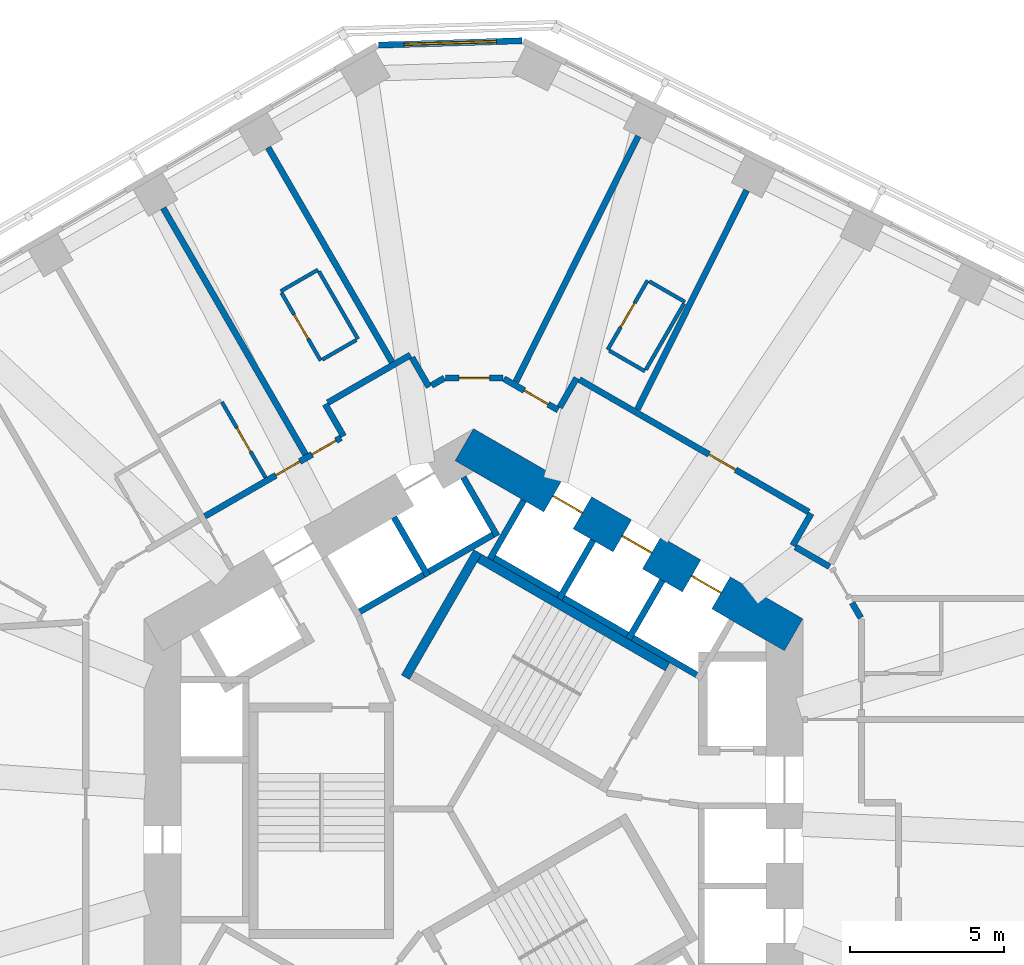
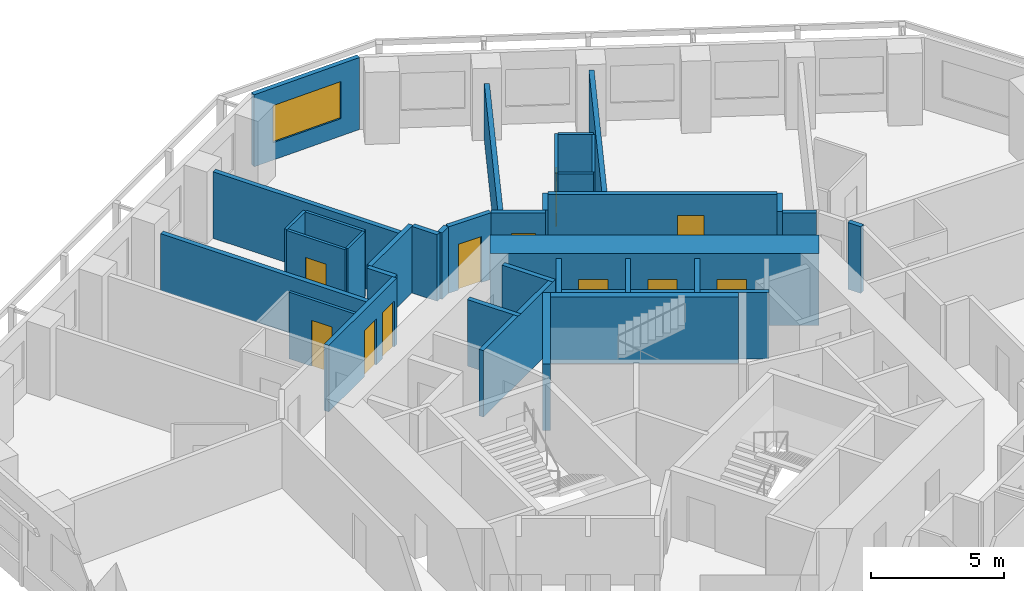
# One storey, part 8 of 12: 36 walls, 11 doors, 1 window, 12 openings.
"""IFC4 building model written with IfcOpenShell, lengths in metres."""

import ifcopenshell
import ifcopenshell.guid

model = None  # the IFC model being written
_history = None  # IfcOwnerHistory: only IFC2X3 demands one
_inside = {}  # id of a spatial element -> (the spatial element, [elements in it])
_under = {}  # id of a project, library or spatial element -> (it, [spatial elements below it])
_declared = {}  # id of a project -> (the project, [libraries it declares])
_typed = {}  # id of a type object -> (the type object, [elements of that type])
_made_of = {}  # id of a material, layer set ... -> (it, [elements and type objects made of it])


def new_model(schema):
    """Start an empty IFC model of exactly this schema.

    Asked for "IFC4X3", IfcOpenShell would pick the latest addendum, in which some entities
    have other attributes; the version numbers below select the first issue.
    IFC2X3 requires an IfcOwnerHistory on every rooted entity: one is made here for all.
    """
    global model, _history
    if schema == "IFC4X3":
        model = ifcopenshell.file(schema_version=(4, 3, 0, 0))
    else:
        model = ifcopenshell.file(schema=schema)
    _inside.clear()
    _under.clear()
    _declared.clear()
    _typed.clear()
    _made_of.clear()
    _history = None
    if model.schema == "IFC2X3":
        org = make("IfcOrganization", Name="unknown")
        user = make(
            "IfcPersonAndOrganization",
            ThePerson=make("IfcPerson", FamilyName="unknown"),
            TheOrganization=org,
        )
        app = make(
            "IfcApplication",
            ApplicationDeveloper=org,
            Version="unknown",
            ApplicationFullName="unknown",
            ApplicationIdentifier="unknown",
        )
        _history = make(
            "IfcOwnerHistory",
            OwningUser=user,
            OwningApplication=app,
            ChangeAction="ADDED",
            CreationDate=0,
        )
    return model


def make(cls, **values):
    """One entity of the class cls with the attributes given. An attribute that is None is left unset."""
    return model.create_entity(
        cls, **{name: value for name, value in values.items() if value is not None}
    )


def rooted(cls, **values):
    """An entity with a GlobalId (a new one), such as an element, a storey or a relation."""
    return make(cls, GlobalId=ifcopenshell.guid.new(), OwnerHistory=_history, **values)


def si_unit(unit_type, name, prefix=None):
    """IfcSIUnit, for example si_unit("LENGTHUNIT", "METRE", prefix="MILLI")."""
    return make("IfcSIUnit", UnitType=unit_type, Prefix=prefix, Name=name)


def assignment(units):
    """IfcUnitAssignment: the units of a project."""
    return None if units is None else make("IfcUnitAssignment", Units=units)


def point(xyz):
    """IfcCartesianPoint."""
    return None if xyz is None else make("IfcCartesianPoint", Coordinates=xyz)


def direction(xyz):
    """IfcDirection."""
    return None if xyz is None else make("IfcDirection", DirectionRatios=xyz)


def frame(location, z_axis=None, x_axis=None):
    """IfcAxis2Placement3D, a coordinate frame: its origin and axes. An axis left out is left unset."""
    return make(
        "IfcAxis2Placement3D",
        Location=point(location),
        Axis=direction(z_axis),
        RefDirection=direction(x_axis),
    )


def frame_2d(location, x_axis=None):
    """IfcAxis2Placement2D, a coordinate frame in the plane: its origin and x axis."""
    return make(
        "IfcAxis2Placement2D", Location=point(location), RefDirection=direction(x_axis)
    )


def origin():
    """The frame at (0, 0, 0) with its axes left unset."""
    return frame((0.0, 0.0, 0.0))


def place(relative_to, where):
    """IfcLocalPlacement: puts the frame where relative to a parent placement (None: the world)."""
    return make(
        "IfcLocalPlacement", PlacementRelTo=relative_to, RelativePlacement=where
    )


def context(
    kind, dimensions, precision=None, world=None, true_north=None, identifier=None
):
    """IfcGeometricRepresentationContext, for example the 3D "Model" context."""
    return make(
        "IfcGeometricRepresentationContext",
        ContextIdentifier=identifier,
        ContextType=kind,
        CoordinateSpaceDimension=dimensions,
        Precision=precision,
        WorldCoordinateSystem=world,
        TrueNorth=true_north,
    )


def subcontext(parent, identifier, kind, view, scale=None):
    """IfcGeometricRepresentationSubContext, for example "Body" below "Model"."""
    return make(
        "IfcGeometricRepresentationSubContext",
        ContextIdentifier=identifier,
        ContextType=kind,
        ParentContext=parent,
        TargetScale=scale,
        TargetView=view,
    )


def project(units=None, contexts=None):
    """IfcProject with its units and contexts."""
    return rooted(
        "IfcProject",
        Name="project",
        RepresentationContexts=contexts,
        UnitsInContext=assignment(units),
    )


def spatial(cls, under=None, at=None, **own):
    """A site, building, storey or space (cls), placed at a placement, below another one or the project."""
    s = rooted(cls, ObjectPlacement=at, **own)
    if under is not None:
        _under.setdefault(under.id(), (under, []))[1].append(s)
    return s


def profile(cls, at=None, kind="AREA", **sizes):
    """A parametric profile (cls). Its sizes go by their IFC names, for example OverallWidth=200.0."""
    return make(cls, ProfileType=kind, Position=at, **sizes)


def rectangle(**sizes):
    """IfcRectangleProfileDef."""
    return profile("IfcRectangleProfileDef", **sizes)


def extrude(swept, where, along, depth):
    """IfcExtrudedAreaSolid: the profile swept, set in the frame where, extruded along a direction by depth."""
    return make(
        "IfcExtrudedAreaSolid",
        SweptArea=swept,
        Position=where,
        ExtrudedDirection=direction(along),
        Depth=depth,
    )


def shape(context_of_items, identifier, shape_type, items):
    """IfcShapeRepresentation: the items that make up one representation, for example the "Body"."""
    return make(
        "IfcShapeRepresentation",
        ContextOfItems=context_of_items,
        RepresentationIdentifier=identifier,
        RepresentationType=shape_type,
        Items=items,
    )


def material(Name=None, Category=None):
    """IfcMaterial."""
    return make("IfcMaterial", Name=Name, Category=Category)


def layer(
    of_material, thickness, ventilated=None, Name=None, Category=None, Priority=None
):
    """IfcMaterialLayer: one layer of a wall or slab, of a material (None: an air gap)."""
    return make(
        "IfcMaterialLayer",
        Material=of_material,
        LayerThickness=thickness,
        IsVentilated=ventilated,
        Name=Name,
        Category=Category,
        Priority=Priority,
    )


def layer_set(layers, Name=None):
    """IfcMaterialLayerSet."""
    return make("IfcMaterialLayerSet", MaterialLayers=layers, LayerSetName=Name)


def made_of(thing, what):
    """Note that an element or type object is made of a material, layer set ...; save() writes the relation."""
    if what is not None:
        _made_of.setdefault(what.id(), (what, []))[1].append(thing)
    return thing


def type_object(cls, material=None, **own):
    """A type object (cls), such as IfcWallType, which elements share."""
    return made_of(rooted(cls, **own), material)


def element(
    cls,
    number,
    at=None,
    inside=None,
    cuts=None,
    type_object=None,
    material=None,
    context=None,
    identifier="Body",
    shape_type=None,
    held_by="IfcProductDefinitionShape",
    body=None,
    shapes=None,
    **own,
):
    """One element of the class cls, such as IfcWall. Its Tag is "e" and its number.

    at: its placement. inside: the storey or other place that contains it. cuts: it is an
    opening in that element (IfcRelVoidsElement). A single representation is given by context,
    identifier, shape_type and body (its items); several are given by shapes. held_by: the class
    of the entity that holds the representations. save() writes the other relations.
    """
    e = rooted(cls, Tag="e%d" % number, ObjectPlacement=at, **own)
    if body is not None:
        shapes = [shape(context, identifier, shape_type, body)]
    if shapes is not None:
        e.Representation = make(held_by, Representations=shapes)
    if inside is not None:
        _inside.setdefault(inside.id(), (inside, []))[1].append(e)
    if cuts is not None:
        rooted(
            "IfcRelVoidsElement", RelatingBuildingElement=cuts, RelatedOpeningElement=e
        )
    if type_object is not None:
        _typed.setdefault(type_object.id(), (type_object, []))[1].append(e)
    return made_of(e, material)


def fill(opening, filler):
    """IfcRelFillsElement: the door or window that sits in an opening."""
    return rooted(
        "IfcRelFillsElement",
        RelatingOpeningElement=opening,
        RelatedBuildingElement=filler,
    )


def aggregate(whole, parts):
    """IfcRelAggregates: a whole, such as a stair, and the parts it consists of."""
    return rooted("IfcRelAggregates", RelatingObject=whole, RelatedObjects=parts)


def save(model, path):
    """Write the relations noted so far, then the file.

    IfcRelAggregates (storeys below a building ...), IfcRelContainedInSpatialStructure (elements
    in a storey), IfcRelDefinesByType, IfcRelAssociatesMaterial and IfcRelDeclares: one each for
    every whole, place, type object, material and project.
    """
    for whole, parts in _under.values():
        aggregate(whole, parts)
    for where, things in _inside.values():
        rooted(
            "IfcRelContainedInSpatialStructure",
            RelatedElements=things,
            RelatingStructure=where,
        )
    for kind, things in _typed.values():
        rooted("IfcRelDefinesByType", RelatedObjects=things, RelatingType=kind)
    for what, things in _made_of.values():
        rooted("IfcRelAssociatesMaterial", RelatedObjects=things, RelatingMaterial=what)
    for by, libraries in _declared.values():
        rooted("IfcRelDeclares", RelatingContext=by, RelatedDefinitions=libraries)
    model.write(path)


model = new_model("IFC4")

# Units and contexts
model_context = context("Model", 3, precision=1e-05, world=origin(), true_north=direction((0.0, 1.0)))
body_context = subcontext(model_context, "Body", "Model", "MODEL_VIEW")
ifc_project = project(units=[si_unit("LENGTHUNIT", "METRE"), si_unit("AREAUNIT", "SQUARE_METRE"), si_unit("VOLUMEUNIT", "CUBIC_METRE"), si_unit("PLANEANGLEUNIT", "RADIAN"), si_unit("MASSUNIT", "GRAM", prefix="KILO")], contexts=[model_context])

# Site, building, storey
site_placement = place(None, origin())
site = spatial("IfcSite", under=ifc_project, at=site_placement, CompositionType="ELEMENT")
building_placement = place(site_placement, origin())
building = spatial("IfcBuilding", under=site, at=building_placement, Name="Vanh Sen Convention Tower", CompositionType="ELEMENT")
storey_placement = place(building_placement, frame((0.0, 0.0, 106.699951171875)))
storey = spatial("IfcBuildingStorey", under=building, at=storey_placement, Name="L25", CompositionType="ELEMENT", Elevation=106.699951171875)

# Wall, opening, door
ifc_material_1 = material(Name="Moisture-resistant gypsum board on steel studs", Category="steel")
ifc_layer_1 = layer(ifc_material_1, 0.1201171875)
ifc_layer_set_1 = layer_set([ifc_layer_1], Name="Moisture-resistant gypsum board on steel studs")
wall_type_1 = type_object("IfcWallType", Name="Bathroom partition 120", PredefinedType="PARTITIONING", material=ifc_layer_set_1)
wall_1_placement = place(storey_placement, frame((-8.177001953125, 13.222900390625, 0.0), z_axis=(0.0, 0.0, 1.0), x_axis=(0.500087089641, -0.865975116718, 0.0)))
wall_1 = element("IfcWall", 1, at=wall_1_placement, inside=storey, type_object=wall_type_1, Name="Bathroom partition 120", PredefinedType="PARTITIONING", context=body_context, shape_type="SweptSolid", body=[
    extrude(rectangle(XDim=2.83984375, YDim=0.1201171875, at=frame_2d((1.419921875, 0.0))), origin(), (0.0, 0.0, 1.0), 3.050048828125),
])
opening_1_placement = place(wall_1_placement, frame((0.969970703125, 0.0, 0.0)))
opening_1 = element("IfcOpeningElement", 2, at=opening_1_placement, cuts=wall_1, Name="Opening D25113", PredefinedType="OPENING", context=body_context, shape_type="SweptSolid", body=[
    extrude(rectangle(XDim=0.89990234375, YDim=2.10009765625, at=frame_2d((0.449951171875, 1.050048828125))), frame((0.0, 0.070068359375, 0.0), z_axis=(0.0, -1.0, 0.0), x_axis=(1.0, 0.0, 0.0)), (0.0, 0.0, 1.0), 0.14013671875),
])
ifc_material_2 = material(Name="Laminate door in steel frame", Category="steel")
door_type_1 = type_object("IfcDoorType", Name="En-suite door 900", OperationType="SINGLE_SWING_LEFT", PredefinedType="DOOR", material=ifc_material_2)
door_1_placement = place(opening_1_placement, origin())
door_1 = element("IfcDoor", 3, at=door_1_placement, inside=storey, type_object=door_type_1, Name="En-suite door D25113", OperationType="SINGLE_SWING_LEFT", OverallHeight=2.10009765625, OverallWidth=0.89990234375, PredefinedType="DOOR", context=body_context, shape_type="SweptSolid", body=[
    extrude(rectangle(XDim=0.89990234375, YDim=2.10009765625, at=frame_2d((0.449951171875, 1.050048828125))), frame((0.0, 0.02490234375, 0.0), z_axis=(0.0, -1.0, 0.0), x_axis=(1.0, 0.0, 0.0)), (0.0, 0.0, 1.0), 0.050048828125),
])
fill(opening_1, door_1)

# Walls
wall_2_placement = place(storey_placement, frame((-6.268310546875, 16.8203125, 0.0), z_axis=(0.0, 0.0, 1.0), x_axis=(0.866002662425, 0.500039387122, 0.0)))
element("IfcWall", 4, at=wall_2_placement, inside=storey, type_object=wall_type_1, Name="Bathroom partition 120", PredefinedType="PARTITIONING", context=body_context, shape_type="SweptSolid", body=[
    extrude(rectangle(XDim=1.400390625, YDim=0.1201171875, at=frame_2d((0.7001953125, 0.0))), origin(), (0.0, 0.0, 1.0), 3.050048828125),
])
wall_3_placement = place(storey_placement, frame((-5.025634765625, 17.468505859375, 0.0), z_axis=(0.0, 0.0, 1.0), x_axis=(0.500005339912, -0.866022320763, 0.0)))
element("IfcWall", 5, at=wall_3_placement, inside=storey, type_object=wall_type_1, Name="Bathroom partition 120", PredefinedType="PARTITIONING", context=body_context, shape_type="SweptSolid", body=[
    extrude(rectangle(XDim=2.5400390625, YDim=0.1201171875, at=frame_2d((1.27001953125, 0.0))), origin(), (0.0, 0.0, 1.0), 3.050048828125),
])

# Wall, opening, door
wall_4_placement = place(storey_placement, frame((-4.96826171875, 14.56884765625, 0.0), z_axis=(0.0, 0.0, 1.0), x_axis=(-0.500046963369, 0.865998287773, 0.0)))
wall_4 = element("IfcWall", 6, at=wall_4_placement, inside=storey, type_object=wall_type_1, Name="Bathroom partition 120", PredefinedType="PARTITIONING", context=body_context, shape_type="SweptSolid", body=[
    extrude(rectangle(XDim=2.539794921875, YDim=0.1201171875, at=frame_2d((1.27001953125, 0.0))), origin(), (0.0, 0.0, 1.0), 3.050048828125),
])
opening_2_placement = place(wall_4_placement, frame((0.820068359375, 0.0, 0.0)))
opening_2 = element("IfcOpeningElement", 7, at=opening_2_placement, cuts=wall_4, Name="Opening D25111", PredefinedType="OPENING", context=body_context, shape_type="SweptSolid", body=[
    extrude(rectangle(XDim=0.89990234375, YDim=2.10009765625, at=frame_2d((0.449951171875, 1.050048828125))), frame((0.0, 0.070068359375, 0.0), z_axis=(0.0, -1.0, 0.0), x_axis=(1.0, 0.0, 0.0)), (0.0, 0.0, 1.0), 0.14013671875),
])
door_2_placement = place(opening_2_placement, origin())
door_2 = element("IfcDoor", 8, at=door_2_placement, inside=storey, type_object=door_type_1, Name="En-suite door D25111", OperationType="SINGLE_SWING_LEFT", OverallHeight=2.10009765625, OverallWidth=0.89990234375, PredefinedType="DOOR", context=body_context, shape_type="SweptSolid", body=[
    extrude(rectangle(XDim=0.89990234375, YDim=2.10009765625, at=frame_2d((0.449951171875, 1.050048828125))), frame((0.0, 0.02490234375, 0.0), z_axis=(0.0, -1.0, 0.0), x_axis=(1.0, 0.0, 0.0)), (0.0, 0.0, 1.0), 0.050048828125),
])
fill(opening_2, door_2)

# Wall
wall_5_placement = place(storey_placement, frame((-3.8076171875, 15.23876953125, 0.0), z_axis=(0.0, 0.0, 1.0), x_axis=(-0.866087136806, -0.499893060024, 0.0)))
element("IfcWall", 9, at=wall_5_placement, inside=storey, type_object=wall_type_1, Name="Bathroom partition 120", PredefinedType="PARTITIONING", context=body_context, shape_type="SweptSolid", body=[
    extrude(rectangle(XDim=1.280029296875, YDim=0.1201171875, at=frame_2d((0.64013671875, 0.0))), origin(), (0.0, 0.0, 1.0), 3.050048828125),
])

# Wall, opening, door
wall_6_placement = place(storey_placement, frame((4.356201171875, 14.922119140625, 0.0), z_axis=(0.0, 0.0, 1.0), x_axis=(0.499936506574, 0.866062058628, 0.0)))
wall_6 = element("IfcWall", 10, at=wall_6_placement, inside=storey, type_object=wall_type_1, Name="Bathroom partition 120", PredefinedType="PARTITIONING", context=body_context, shape_type="SweptSolid", body=[
    extrude(rectangle(XDim=2.599853515625, YDim=0.1201171875, at=frame_2d((1.2998046875, 0.0))), origin(), (0.0, 0.0, 1.0), 3.050048828125),
])
opening_3_placement = place(wall_6_placement, frame((0.85009765625, 0.0, 0.0)))
opening_3 = element("IfcOpeningElement", 11, at=opening_3_placement, cuts=wall_6, Name="Opening D25108", PredefinedType="OPENING", context=body_context, shape_type="SweptSolid", body=[
    extrude(rectangle(XDim=0.89990234375, YDim=2.10009765625, at=frame_2d((0.449951171875, 1.050048828125))), frame((0.0, 0.070068359375, 0.0), z_axis=(0.0, -1.0, 0.0), x_axis=(1.0, 0.0, 0.0)), (0.0, 0.0, 1.0), 0.14013671875),
])
door_3_placement = place(opening_3_placement, origin())
door_3 = element("IfcDoor", 12, at=door_3_placement, inside=storey, type_object=door_type_1, Name="En-suite door D25108", OperationType="SINGLE_SWING_LEFT", OverallHeight=2.10009765625, OverallWidth=0.89990234375, PredefinedType="DOOR", context=body_context, shape_type="SweptSolid", body=[
    extrude(rectangle(XDim=0.89990234375, YDim=2.10009765625, at=frame_2d((0.449951171875, 1.050048828125))), frame((0.0, 0.02490234375, 0.0), z_axis=(0.0, -1.0, 0.0), x_axis=(1.0, 0.0, 0.0)), (0.0, 0.0, 1.0), 0.050048828125),
])
fill(opening_3, door_3)

# Walls
wall_7_placement = place(storey_placement, frame((5.568603515625, 14.22216796875, 0.0), z_axis=(0.0, 0.0, 1.0), x_axis=(-0.866036909293, 0.499980071345, 0.0)))
element("IfcWall", 13, at=wall_7_placement, inside=storey, type_object=wall_type_1, Name="Bathroom partition 120", PredefinedType="PARTITIONING", context=body_context, shape_type="SweptSolid", body=[
    extrude(rectangle(XDim=1.33984375, YDim=0.1201171875, at=frame_2d((0.669921875, 0.0))), origin(), (0.0, 0.0, 1.0), 3.050048828125),
])
wall_8_placement = place(storey_placement, frame((5.7080078125, 17.143798828125, 0.0), z_axis=(0.0, 0.0, 1.0), x_axis=(0.866082447003, -0.499901185229, 0.0)))
element("IfcWall", 14, at=wall_8_placement, inside=storey, type_object=wall_type_1, Name="Bathroom partition 120", PredefinedType="PARTITIONING", context=body_context, shape_type="SweptSolid", body=[
    extrude(rectangle(XDim=1.340087890625, YDim=0.1201171875, at=frame_2d((0.669921875, 0.0))), origin(), (0.0, 0.0, 1.0), 3.050048828125),
])
wall_9_placement = place(storey_placement, frame((6.838623046875, 16.421875, 0.0), z_axis=(0.0, 0.0, 1.0), x_axis=(-0.50000366821, -0.866023285932, 0.0)))
element("IfcWall", 15, at=wall_9_placement, inside=storey, type_object=wall_type_1, Name="Bathroom partition 120", PredefinedType="PARTITIONING", context=body_context, shape_type="SweptSolid", body=[
    extrude(rectangle(XDim=2.47998046875, YDim=0.1201171875, at=frame_2d((1.239990234375, 0.0))), origin(), (0.0, 0.0, 1.0), 3.050048828125),
])

# Wall, openings, doors
ifc_material_3 = material(Name="Concrete C80/95", Category="concrete")
ifc_layer_2 = layer(ifc_material_3, 1.199951171875)
ifc_layer_set_2 = layer_set([ifc_layer_2], Name="Concrete C80/95")
wall_type_2 = type_object("IfcWallType", Name="Core outer wall 1200 C80/95", PredefinedType="SHEAR", material=ifc_layer_set_2)
wall_10_placement = place(storey_placement, frame((10.39990234375, 5.657958984375, 0.0), z_axis=(0.0, 0.0, 1.0), x_axis=(-0.866021384402, 0.500006961711, 0.0)))
wall_10 = element("IfcWall", 16, at=wall_10_placement, inside=storey, type_object=wall_type_2, Name="Core wall face NE L25", PredefinedType="SHEAR", context=body_context, shape_type="SweptSolid", body=[
    extrude(rectangle(XDim=12.355224609375, YDim=1.199951171875, at=frame_2d((6.177734375, 0.0))), origin(), (0.0, 0.0, 1.0), 3.300048828125),
])
opening_4_placement = place(wall_10_placement, frame((2.727783203125, 0.0, 0.0)))
opening_4 = element("IfcOpeningElement", 17, at=opening_4_placement, cuts=wall_10, Name="Opening LD-LR3", PredefinedType="OPENING", context=body_context, shape_type="SweptSolid", body=[
    extrude(rectangle(XDim=1.10009765625, YDim=2.10009765625, at=frame_2d((0.550048828125, 1.050048828125))), frame((0.0, 0.60986328125, 0.0), z_axis=(0.0, -1.0, 0.0), x_axis=(1.0, 0.0, 0.0)), (0.0, 0.0, 1.0), 1.219970703125),
])
opening_5_placement = place(wall_10_placement, frame((5.32763671875, 0.0, 0.0)))
opening_5 = element("IfcOpeningElement", 18, at=opening_5_placement, cuts=wall_10, Name="Opening LD-LR4", PredefinedType="OPENING", context=body_context, shape_type="SweptSolid", body=[
    extrude(rectangle(XDim=1.10009765625, YDim=2.10009765625, at=frame_2d((0.550048828125, 1.050048828125))), frame((0.0, 0.60986328125, 0.0), z_axis=(0.0, -1.0, 0.0), x_axis=(1.0, 0.0, 0.0)), (0.0, 0.0, 1.0), 1.219970703125),
])
opening_6_placement = place(wall_10_placement, frame((7.927734375, 0.0, 0.0)))
opening_6 = element("IfcOpeningElement", 19, at=opening_6_placement, cuts=wall_10, Name="Opening LD-LR5", PredefinedType="OPENING", context=body_context, shape_type="SweptSolid", body=[
    extrude(rectangle(XDim=1.10009765625, YDim=2.10009765625, at=frame_2d((0.550048828125, 1.050048828125))), frame((0.0, 0.60986328125, 0.0), z_axis=(0.0, -1.0, 0.0), x_axis=(1.0, 0.0, 0.0)), (0.0, 0.0, 1.0), 1.219970703125),
])
ifc_material_4 = material(Name="Stainless steel", Category="steel")
door_type_2 = type_object("IfcDoorType", Name="Lift landing door 1100", OperationType="DOUBLE_DOOR_SLIDING", PredefinedType="DOOR", material=ifc_material_4)
door_4_placement = place(opening_4_placement, origin())
door_4 = element("IfcDoor", 20, at=door_4_placement, inside=storey, type_object=door_type_2, Name="Lift LR3 landing door LD-LR3", OperationType="DOUBLE_DOOR_SLIDING", OverallHeight=2.10009765625, OverallWidth=1.10009765625, PredefinedType="DOOR", context=body_context, shape_type="SweptSolid", body=[
    extrude(rectangle(XDim=1.10009765625, YDim=2.10009765625, at=frame_2d((0.550048828125, 1.050048828125))), frame((0.0, 0.02490234375, 0.0), z_axis=(0.0, -1.0, 0.0), x_axis=(1.0, 0.0, 0.0)), (0.0, 0.0, 1.0), 0.050048828125),
])
fill(opening_4, door_4)
door_5_placement = place(opening_5_placement, origin())
door_5 = element("IfcDoor", 21, at=door_5_placement, inside=storey, type_object=door_type_2, Name="Lift LR4 landing door LD-LR4", OperationType="DOUBLE_DOOR_SLIDING", OverallHeight=2.10009765625, OverallWidth=1.10009765625, PredefinedType="DOOR", context=body_context, shape_type="SweptSolid", body=[
    extrude(rectangle(XDim=1.10009765625, YDim=2.10009765625, at=frame_2d((0.550048828125, 1.050048828125))), frame((0.0, 0.02490234375, 0.0), z_axis=(0.0, -1.0, 0.0), x_axis=(1.0, 0.0, 0.0)), (0.0, 0.0, 1.0), 0.050048828125),
])
fill(opening_5, door_5)
door_6_placement = place(opening_6_placement, origin())
door_6 = element("IfcDoor", 22, at=door_6_placement, inside=storey, type_object=door_type_2, Name="Lift LR5 landing door LD-LR5", OperationType="DOUBLE_DOOR_SLIDING", OverallHeight=2.10009765625, OverallWidth=1.10009765625, PredefinedType="DOOR", context=body_context, shape_type="SweptSolid", body=[
    extrude(rectangle(XDim=1.10009765625, YDim=2.10009765625, at=frame_2d((0.550048828125, 1.050048828125))), frame((0.0, 0.02490234375, 0.0), z_axis=(0.0, -1.0, 0.0), x_axis=(1.0, 0.0, 0.0)), (0.0, 0.0, 1.0), 0.050048828125),
])
fill(opening_6, door_6)

# Wall
ifc_material_5 = material(Name="Gypsum board on steel studs with mineral wool", Category="steel")
ifc_layer_3 = layer(ifc_material_5, 0.199951171875)
ifc_layer_set_3 = layer_set([ifc_layer_3], Name="Gypsum board on steel studs with mineral wool")
wall_type_3 = type_object("IfcWallType", Name="Corridor partition wall 200", PredefinedType="PARTITIONING", material=ifc_layer_set_3)
wall_11_placement = place(storey_placement, frame((-4.822998046875, 13.151611328125, 0.0), z_axis=(0.0, 0.0, 1.0), x_axis=(0.499986357472, -0.866033280158, 0.0)))
element("IfcWall", 23, at=wall_11_placement, inside=storey, type_object=wall_type_3, Name="Corridor partition wall 200", PredefinedType="PARTITIONING", context=body_context, shape_type="SweptSolid", body=[
    extrude(rectangle(XDim=1.201171875, YDim=0.199951171875, at=frame_2d((0.6005859375, 0.0))), origin(), (0.0, 0.0, 1.0), 3.050048828125),
])

# Wall, openings, doors
wall_12_placement = place(storey_placement, frame((-4.30908203125, 12.061279296875, 0.0), z_axis=(0.0, 0.0, 1.0), x_axis=(-0.866020679205, -0.500008183122, 0.0)))
wall_12 = element("IfcWall", 24, at=wall_12_placement, inside=storey, type_object=wall_type_3, Name="Corridor partition wall 200", PredefinedType="PARTITIONING", context=body_context, shape_type="SweptSolid", body=[
    extrude(rectangle(XDim=5.103515625, YDim=0.199951171875, at=frame_2d((2.5517578125, 0.0))), origin(), (0.0, 0.0, 1.0), 3.050048828125),
])
opening_7_placement = place(wall_12_placement, frame((0.1845703125, 0.0, 0.0)))
opening_7 = element("IfcOpeningElement", 25, at=opening_7_placement, cuts=wall_12, Name="Opening D25110", PredefinedType="OPENING", context=body_context, shape_type="SweptSolid", body=[
    extrude(rectangle(XDim=0.89990234375, YDim=2.10009765625, at=frame_2d((0.449951171875, 1.050048828125))), frame((0.0, 0.10986328125, 0.0), z_axis=(0.0, -1.0, 0.0), x_axis=(1.0, 0.0, 0.0)), (0.0, 0.0, 1.0), 0.219970703125),
])
opening_8_placement = place(wall_12_placement, frame((1.5439453125, 0.0, 0.0)))
opening_8 = element("IfcOpeningElement", 26, at=opening_8_placement, cuts=wall_12, Name="Opening D25112", PredefinedType="OPENING", context=body_context, shape_type="SweptSolid", body=[
    extrude(rectangle(XDim=0.89990234375, YDim=2.10009765625, at=frame_2d((0.449951171875, 1.050048828125))), frame((0.0, 0.10986328125, 0.0), z_axis=(0.0, -1.0, 0.0), x_axis=(1.0, 0.0, 0.0)), (0.0, 0.0, 1.0), 0.219970703125),
])
ifc_material_6 = material(Name="Timber fire door in steel frame", Category="steel")
door_type_3 = type_object("IfcDoorType", Name="Guest room door 900", OperationType="SINGLE_SWING_LEFT", PredefinedType="DOOR", material=ifc_material_6)
door_7_placement = place(opening_7_placement, origin())
door_7 = element("IfcDoor", 27, at=door_7_placement, inside=storey, type_object=door_type_3, Name="Hotel guest room door D25110", OperationType="SINGLE_SWING_LEFT", OverallHeight=2.10009765625, OverallWidth=0.89990234375, PredefinedType="DOOR", context=body_context, shape_type="SweptSolid", body=[
    extrude(rectangle(XDim=0.89990234375, YDim=2.10009765625, at=frame_2d((0.449951171875, 1.050048828125))), frame((0.0, 0.02490234375, 0.0), z_axis=(0.0, -1.0, 0.0), x_axis=(1.0, 0.0, 0.0)), (0.0, 0.0, 1.0), 0.050048828125),
])
fill(opening_7, door_7)
door_8_placement = place(opening_8_placement, origin())
door_8 = element("IfcDoor", 28, at=door_8_placement, inside=storey, type_object=door_type_3, Name="Hotel guest room door D25112", OperationType="SINGLE_SWING_LEFT", OverallHeight=2.10009765625, OverallWidth=0.89990234375, PredefinedType="DOOR", context=body_context, shape_type="SweptSolid", body=[
    extrude(rectangle(XDim=0.89990234375, YDim=2.10009765625, at=frame_2d((0.449951171875, 1.050048828125))), frame((0.0, 0.02490234375, 0.0), z_axis=(0.0, -1.0, 0.0), x_axis=(1.0, 0.0, 0.0)), (0.0, 0.0, 1.0), 0.050048828125),
])
fill(opening_8, door_8)

# Walls
wall_13_placement = place(storey_placement, frame((-2.0498046875, 14.75244140625, 0.0), z_axis=(0.0, 0.0, 1.0), x_axis=(-0.866030936828, -0.499990416364, 0.0)))
element("IfcWall", 29, at=wall_13_placement, inside=storey, type_object=wall_type_3, Name="Corridor partition wall 200", PredefinedType="PARTITIONING", context=body_context, shape_type="SweptSolid", body=[
    extrude(rectangle(XDim=3.10205078125, YDim=0.199951171875, at=frame_2d((1.551025390625, 0.0))), origin(), (0.0, 0.0, 1.0), 3.050048828125),
])
wall_14_placement = place(storey_placement, frame((-1.449462890625, 13.71240234375, 0.0), z_axis=(0.0, 0.0, 1.0), x_axis=(-0.499978356969, 0.866037899034, 0.0)))
element("IfcWall", 30, at=wall_14_placement, inside=storey, type_object=wall_type_3, Name="Corridor partition wall 200", PredefinedType="PARTITIONING", context=body_context, shape_type="SweptSolid", body=[
    extrude(rectangle(XDim=1.10107421875, YDim=0.199951171875, at=frame_2d((0.550537109375, 0.0))), origin(), (0.0, 0.0, 1.0), 3.050048828125),
])
wall_15_placement = place(storey_placement, frame((-0.949951171875, 14.000732421875, 0.0), z_axis=(0.0, 0.0, 1.0), x_axis=(-0.86609177584, -0.499885022602, 0.0)))
element("IfcWall", 31, at=wall_15_placement, inside=storey, type_object=wall_type_3, Name="Corridor partition wall 200", PredefinedType="PARTITIONING", context=body_context, shape_type="SweptSolid", body=[
    extrude(rectangle(XDim=0.4765625, YDim=0.199951171875, at=frame_2d((0.23828125, 0.0))), origin(), (0.0, 0.0, 1.0), 3.050048828125),
])

# Wall, opening, door
wall_16_placement = place(storey_placement, frame((0.949951171875, 14.000732421875, 0.0), z_axis=(0.0, 0.0, 1.0), x_axis=(-1.0, 0.0, 0.0)))
wall_16 = element("IfcWall", 32, at=wall_16_placement, inside=storey, type_object=wall_type_3, Name="Corridor partition wall 200", PredefinedType="PARTITIONING", context=body_context, shape_type="SweptSolid", body=[
    extrude(rectangle(XDim=1.85986328125, YDim=0.199951171875, at=frame_2d((0.929931640625, 0.0))), origin(), (0.0, 0.0, 1.0), 3.050048828125),
])
opening_9_placement = place(wall_16_placement, frame((0.429931640625, 0.0, 0.0)))
opening_9 = element("IfcOpeningElement", 33, at=opening_9_placement, cuts=wall_16, Name="Opening D25109", PredefinedType="OPENING", context=body_context, shape_type="SweptSolid", body=[
    extrude(rectangle(XDim=1.0, YDim=2.10009765625, at=frame_2d((0.5, 1.050048828125))), frame((0.0, 0.10986328125, 0.0), z_axis=(0.0, -1.0, 0.0), x_axis=(1.0, 0.0, 0.0)), (0.0, 0.0, 1.0), 0.219970703125),
])
door_type_4 = type_object("IfcDoorType", Name="Floor room door 1000", OperationType="SINGLE_SWING_LEFT", PredefinedType="DOOR", material=ifc_material_6)
door_9_placement = place(opening_9_placement, origin())
door_9 = element("IfcDoor", 34, at=door_9_placement, inside=storey, type_object=door_type_4, Name="Meeting and amenity room door D25109", OperationType="SINGLE_SWING_LEFT", OverallHeight=2.10009765625, OverallWidth=1.0, PredefinedType="DOOR", context=body_context, shape_type="SweptSolid", body=[
    extrude(rectangle(XDim=1.0, YDim=2.10009765625, at=frame_2d((0.5, 1.050048828125))), frame((0.0, 0.02490234375, 0.0), z_axis=(0.0, -1.0, 0.0), x_axis=(1.0, 0.0, 0.0)), (0.0, 0.0, 1.0), 0.050048828125),
])
fill(opening_9, door_9)

wall_17_placement = place(storey_placement, frame((2.748291015625, 12.96240234375, 0.0), z_axis=(0.0, 0.0, 1.0), x_axis=(-0.866013897511, 0.50001992892, 0.0)))
wall_17 = element("IfcWall", 35, at=wall_17_placement, inside=storey, type_object=wall_type_3, Name="Corridor partition wall 200", PredefinedType="PARTITIONING", context=body_context, shape_type="SweptSolid", body=[
    extrude(rectangle(XDim=2.03662109375, YDim=0.199951171875, at=frame_2d((1.018310546875, 0.0))), origin(), (0.0, 0.0, 1.0), 3.050048828125),
])
opening_10_placement = place(wall_17_placement, frame((0.371826171875, 0.0, 0.0)))
opening_10 = element("IfcOpeningElement", 36, at=opening_10_placement, cuts=wall_17, Name="Opening D25107", PredefinedType="OPENING", context=body_context, shape_type="SweptSolid", body=[
    extrude(rectangle(XDim=0.89990234375, YDim=2.10009765625, at=frame_2d((0.449951171875, 1.050048828125))), frame((0.0, 0.10986328125, 0.0), z_axis=(0.0, -1.0, 0.0), x_axis=(1.0, 0.0, 0.0)), (0.0, 0.0, 1.0), 0.219970703125),
])
door_10_placement = place(opening_10_placement, origin())
door_10 = element("IfcDoor", 37, at=door_10_placement, inside=storey, type_object=door_type_3, Name="Hotel guest room door D25107", OperationType="SINGLE_SWING_LEFT", OverallHeight=2.10009765625, OverallWidth=0.89990234375, PredefinedType="DOOR", context=body_context, shape_type="SweptSolid", body=[
    extrude(rectangle(XDim=0.89990234375, YDim=2.10009765625, at=frame_2d((0.449951171875, 1.050048828125))), frame((0.0, 0.02490234375, 0.0), z_axis=(0.0, -1.0, 0.0), x_axis=(1.0, 0.0, 0.0)), (0.0, 0.0, 1.0), 0.050048828125),
])
fill(opening_10, door_10)

# Walls
wall_18_placement = place(storey_placement, frame((3.348876953125, 14.00244140625, 0.0), z_axis=(0.0, 0.0, 1.0), x_axis=(-0.500074377092, -0.865982457891, 0.0)))
element("IfcWall", 38, at=wall_18_placement, inside=storey, type_object=wall_type_3, Name="Corridor partition wall 200", PredefinedType="PARTITIONING", context=body_context, shape_type="SweptSolid", body=[
    extrude(rectangle(XDim=1.100830078125, YDim=0.199951171875, at=frame_2d((0.55029296875, 0.0))), origin(), (0.0, 0.0, 1.0), 3.050048828125),
])
wall_19_placement = place(storey_placement, frame((10.37109375, 8.561279296875, 0.0), z_axis=(0.0, 0.0, 1.0), x_axis=(0.499986357472, 0.866033280158, 0.0)))
element("IfcWall", 39, at=wall_19_placement, inside=storey, type_object=wall_type_3, Name="Corridor partition wall 200", PredefinedType="PARTITIONING", context=body_context, shape_type="SweptSolid", body=[
    extrude(rectangle(XDim=1.201171875, YDim=0.199951171875, at=frame_2d((0.6005859375, 0.0))), origin(), (0.0, 0.0, 1.0), 3.050048828125),
])

# Wall, opening, door
wall_20_placement = place(storey_placement, frame((10.885009765625, 9.651611328125, 0.0), z_axis=(0.0, 0.0, 1.0), x_axis=(-0.866033868542, 0.499985338323, 0.0)))
wall_20 = element("IfcWall", 40, at=wall_20_placement, inside=storey, type_object=wall_type_3, Name="Corridor partition wall 200", PredefinedType="PARTITIONING", context=body_context, shape_type="SweptSolid", body=[
    extrude(rectangle(XDim=8.601806640625, YDim=0.199951171875, at=frame_2d((4.30078125, 0.0))), origin(), (0.0, 0.0, 1.0), 3.050048828125),
])
opening_11_placement = place(wall_20_placement, frame((2.738525390625, 0.0, 0.0)))
opening_11 = element("IfcOpeningElement", 41, at=opening_11_placement, cuts=wall_20, Name="Opening D25106", PredefinedType="OPENING", context=body_context, shape_type="SweptSolid", body=[
    extrude(rectangle(XDim=1.0, YDim=2.10009765625, at=frame_2d((0.5, 1.050048828125))), frame((0.0, 0.10986328125, 0.0), z_axis=(0.0, -1.0, 0.0), x_axis=(1.0, 0.0, 0.0)), (0.0, 0.0, 1.0), 0.219970703125),
])
door_11_placement = place(opening_11_placement, origin())
door_11 = element("IfcDoor", 42, at=door_11_placement, inside=storey, type_object=door_type_4, Name="Meeting and amenity room door D25106", OperationType="SINGLE_SWING_LEFT", OverallHeight=2.10009765625, OverallWidth=1.0, PredefinedType="DOOR", context=body_context, shape_type="SweptSolid", body=[
    extrude(rectangle(XDim=1.0, YDim=2.10009765625, at=frame_2d((0.5, 1.050048828125))), frame((0.0, 0.02490234375, 0.0), z_axis=(0.0, -1.0, 0.0), x_axis=(1.0, 0.0, 0.0)), (0.0, 0.0, 1.0), 0.050048828125),
])
fill(opening_11, door_11)

# Walls
wall_21_placement = place(storey_placement, frame((11.56640625, 7.871337890625, 0.0), z_axis=(0.0, 0.0, 1.0), x_axis=(-0.866004557827, 0.500036104519, 0.0)))
element("IfcWall", 43, at=wall_21_placement, inside=storey, type_object=wall_type_3, Name="Corridor partition wall 200", PredefinedType="PARTITIONING", context=body_context, shape_type="SweptSolid", body=[
    extrude(rectangle(XDim=1.2802734375, YDim=0.199951171875, at=frame_2d((0.64013671875, 0.0))), origin(), (0.0, 0.0, 1.0), 3.050048828125),
])
wall_22_placement = place(storey_placement, frame((12.580078125, 6.212158203125, 0.0), z_axis=(0.0, 0.0, 1.0), x_axis=(-0.499936258447, 0.86606220186, 0.0)))
element("IfcWall", 44, at=wall_22_placement, inside=storey, type_object=wall_type_3, Name="Corridor partition wall 200", PredefinedType="PARTITIONING", context=body_context, shape_type="SweptSolid", body=[
    extrude(rectangle(XDim=0.56005859375, YDim=0.199951171875, at=frame_2d((0.280029296875, 0.0))), origin(), (0.0, 0.0, 1.0), 3.050048828125),
])

# Wall, opening, window
ifc_material_7 = material(Name="Insulated lightweight infill wall")
ifc_layer_4 = layer(ifc_material_7, 0.199951171875)
ifc_layer_set_4 = layer_set([ifc_layer_4], Name="Insulated lightweight infill wall")
wall_type_4 = type_object("IfcWallType", Name="External wall 200", PredefinedType="STANDARD", material=ifc_layer_set_4)
wall_23_placement = place(storey_placement, frame((1.568359375, 24.9609375, 0.0), z_axis=(0.0, 0.0, 1.0), x_axis=(-0.999533359013, -0.030546099927, 0.0)))
wall_23 = element("IfcWall", 45, at=wall_23_placement, inside=storey, type_object=wall_type_4, Name="External wall CH2 L25", PredefinedType="STANDARD", context=body_context, shape_type="SweptSolid", body=[
    extrude(rectangle(XDim=4.65966796875, YDim=0.199951171875, at=frame_2d((2.329833984375, 0.0))), origin(), (0.0, 0.0, 1.0), 3.300048828125),
])
opening_12_placement = place(wall_23_placement, frame((0.829833984375, 0.0, 0.800048828125)))
opening_12 = element("IfcOpeningElement", 46, at=opening_12_placement, cuts=wall_23, Name="Opening WH2-CH21", PredefinedType="OPENING", context=body_context, shape_type="SweptSolid", body=[
    extrude(rectangle(XDim=3.0, YDim=1.699951171875, at=frame_2d((1.5, 0.85009765625))), frame((0.0, 0.10986328125, 0.0), z_axis=(0.0, -1.0, 0.0), x_axis=(1.0, 0.0, 0.0)), (0.0, 0.0, 1.0), 0.219970703125),
])
ifc_material_8 = material(Name="Aluminium frame with clear low-emissivity glass", Category="aluminium")
window_type = type_object("IfcWindowType", Name="Hotel window 3000 x 1700", PartitioningType="SINGLE_PANEL", PredefinedType="WINDOW", material=ifc_material_8)
window_placement = place(opening_12_placement, origin())
window = element("IfcWindow", 47, at=window_placement, inside=storey, type_object=window_type, Name="Window WH2-CH21", OverallHeight=1.699951171875, OverallWidth=3.0, PartitioningType="SINGLE_PANEL", PredefinedType="WINDOW", context=body_context, shape_type="SweptSolid", body=[
    extrude(rectangle(XDim=3.0, YDim=1.699951171875, at=frame_2d((1.5, 0.85009765625))), frame((0.0, 0.030029296875, 0.0), z_axis=(0.0, -1.0, 0.0), x_axis=(1.0, 0.0, 0.0)), (0.0, 0.0, 1.0), 0.06005859375),
])
fill(opening_12, window)

# Walls
ifc_layer_5 = layer(ifc_material_5, 0.199951171875)
ifc_layer_set_5 = layer_set([ifc_layer_5], Name="Gypsum board on steel studs with mineral wool")
wall_type_5 = type_object("IfcWallType", Name="Hotel party wall 200", PredefinedType="PARTITIONING", material=ifc_layer_set_5)
wall_24_placement = place(storey_placement, frame((-10.0830078125, 19.5244140625, 0.0), z_axis=(0.0, 0.0, 1.0), x_axis=(0.499999662836, -0.866025598446, 0.0)))
element("IfcWall", 48, at=wall_24_placement, inside=storey, type_object=wall_type_5, Name="Hotel party wall 200", PredefinedType="PARTITIONING", context=body_context, shape_type="SweptSolid", body=[
    extrude(rectangle(XDim=9.25, YDim=0.199951171875, at=frame_2d((4.625, 0.0))), origin(), (0.0, 0.0, 1.0), 2.60009765625),
])
wall_25_placement = place(storey_placement, frame((-6.675537109375, 21.49169921875, 0.0), z_axis=(0.0, 0.0, 1.0), x_axis=(0.500011263043, -0.866018900966, 0.0)))
element("IfcWall", 49, at=wall_25_placement, inside=storey, type_object=wall_type_5, Name="Hotel party wall 200", PredefinedType="PARTITIONING", context=body_context, shape_type="SweptSolid", body=[
    extrude(rectangle(XDim=8.049072265625, YDim=0.199951171875, at=frame_2d((4.0244140625, 0.0))), origin(), (0.0, 0.0, 1.0), 3.050048828125),
])
wall_26_placement = place(storey_placement, frame((5.35107421875, 21.859130859375, 0.0), z_axis=(0.0, 0.0, 1.0), x_axis=(-0.446205309328, -0.894930624086, 0.0)))
element("IfcWall", 50, at=wall_26_placement, inside=storey, type_object=wall_type_5, Name="Hotel party wall 200", PredefinedType="PARTITIONING", context=body_context, shape_type="SweptSolid", body=[
    extrude(rectangle(XDim=8.9130859375, YDim=0.199951171875, at=frame_2d((4.45654296875, 0.0))), origin(), (0.0, 0.0, 1.0), 2.60009765625),
])
wall_27_placement = place(storey_placement, frame((8.872314453125, 20.103515625, 0.0), z_axis=(0.0, 0.0, 1.0), x_axis=(-0.446218378653, -0.894924107706, 0.0)))
element("IfcWall", 51, at=wall_27_placement, inside=storey, type_object=wall_type_5, Name="Hotel party wall 200", PredefinedType="PARTITIONING", context=body_context, shape_type="SweptSolid", body=[
    extrude(rectangle(XDim=7.950439453125, YDim=0.199951171875, at=frame_2d((3.97509765625, 0.0))), origin(), (0.0, 0.0, 1.0), 3.050048828125),
])
ifc_material_9 = material(Name="Concrete C40/50", Category="concrete")
ifc_layer_6 = layer(ifc_material_9, 0.199951171875)
ifc_layer_set_6 = layer_set([ifc_layer_6], Name="Concrete C40/50")
wall_type_6 = type_object("IfcWallType", Name="Lift shaft wall 200", PredefinedType="PARTITIONING", material=ifc_layer_set_6)
wall_28_placement = place(storey_placement, frame((7.423828125, 4.258544921875, 0.0), z_axis=(0.0, 0.0, 1.0), x_axis=(-0.866026010844, 0.49999894854, 0.0)))
element("IfcWall", 52, at=wall_28_placement, inside=storey, type_object=wall_type_6, Name="Lift shaft wall L25", PredefinedType="PARTITIONING", context=body_context, shape_type="SweptSolid", body=[
    extrude(rectangle(XDim=8.0, YDim=0.199951171875, at=frame_2d((4.0, 0.0))), origin(), (0.0, 0.0, 1.0), 3.050048828125),
])
for number, where, z_axis, x_axis, name in (
    (53, (5.03564453125, 5.52197265625, 0.0), (0.0, 0.0, 1.0), (0.499946605688, 0.86605622881, 0.0), "Lift shaft wall L25"),
    (54, (2.783935546875, 6.822021484375, 0.0), (0.0, 0.0, 1.0), (0.50002983664, 0.866008176907, 0.0), "Lift shaft wall L25"),
    (55, (0.5322265625, 8.1220703125, 0.0), (0.0, 0.0, 1.0), (0.500077893725, 0.86598042715, 0.0), "Lift shaft wall L25"),
):
    element("IfcWall", number, at=place(storey_placement, frame(where, z_axis=z_axis, x_axis=x_axis)), inside=storey, type_object=wall_type_6, Name=name, PredefinedType="PARTITIONING", context=body_context, shape_type="SweptSolid", body=[
        extrude(rectangle(XDim=2.199951171875, YDim=0.199951171875, at=frame_2d((1.10009765625, 0.0))), origin(), (0.0, 0.0, 1.0), 3.050048828125),
    ])
wall_29_placement = place(storey_placement, frame((0.80322265625, 9.008544921875, 0.0), z_axis=(0.0, 0.0, 1.0), x_axis=(-0.866028230842, -0.499995103361, 0.0)))
element("IfcWall", 56, at=wall_29_placement, inside=storey, type_object=wall_type_6, Name="Lift shaft wall L25", PredefinedType="PARTITIONING", context=body_context, shape_type="SweptSolid", body=[
    extrude(rectangle(XDim=5.39990234375, YDim=0.199951171875, at=frame_2d((2.699951171875, 0.0))), origin(), (0.0, 0.0, 1.0), 3.050048828125),
])
wall_30_placement = place(storey_placement, frame((0.7666015625, 8.8720703125, 0.0), z_axis=(0.0, 0.0, 1.0), x_axis=(-0.499994660107, 0.866028486751, 0.0)))
element("IfcWall", 57, at=wall_30_placement, inside=storey, type_object=wall_type_6, Name="Lift shaft wall L25", PredefinedType="PARTITIONING", context=body_context, shape_type="SweptSolid", body=[
    extrude(rectangle(XDim=2.19970703125, YDim=0.199951171875, at=frame_2d((1.099853515625, 0.0))), origin(), (0.0, 0.0, 1.0), 3.050048828125),
])
wall_31_placement = place(storey_placement, frame((-1.48486328125, 7.572021484375, 0.0), z_axis=(0.0, 0.0, 1.0), x_axis=(-0.50002983664, 0.866008176907, 0.0)))
element("IfcWall", 58, at=wall_31_placement, inside=storey, type_object=wall_type_6, Name="Lift shaft wall L25", PredefinedType="PARTITIONING", context=body_context, shape_type="SweptSolid", body=[
    extrude(rectangle(XDim=2.199951171875, YDim=0.199951171875, at=frame_2d((1.10009765625, 0.0))), origin(), (0.0, 0.0, 1.0), 3.050048828125),
])
ifc_material_10 = material(Name="Concrete C60/75", Category="concrete")
ifc_layer_7 = layer(ifc_material_10, 0.300048828125)
ifc_layer_set_7 = layer_set([ifc_layer_7], Name="Concrete C60/75")
wall_type_7 = type_object("IfcWallType", Name="Stair wall 300", PredefinedType="SHEAR", material=ifc_layer_set_7)
wall_32_placement = place(storey_placement, frame((-2.216064453125, 4.28173828125, 0.0), z_axis=(0.0, 0.0, 1.0), x_axis=(0.499977259774, 0.866038532462, 0.0)))
element("IfcWall", 59, at=wall_32_placement, inside=storey, type_object=wall_type_7, Name="Stair wall L25", PredefinedType="SHEAR", context=body_context, shape_type="SweptSolid", body=[
    extrude(rectangle(XDim=4.699951171875, YDim=0.300048828125, at=frame_2d((2.35009765625, 0.0))), origin(), (0.0, 0.0, 1.0), 3.050048828125),
])
wall_33_placement = place(storey_placement, frame((6.302978515625, 4.6171875, 0.0), z_axis=(0.0, 0.0, 1.0), x_axis=(-0.866027801685, 0.499995846692, 0.0)))
element("IfcWall", 60, at=wall_33_placement, inside=storey, type_object=wall_type_7, Name="Stair wall L25", PredefinedType="SHEAR", context=body_context, shape_type="SweptSolid", body=[
    extrude(rectangle(XDim=7.06005859375, YDim=0.300048828125, at=frame_2d((3.530029296875, 0.0))), origin(), (0.0, 0.0, 1.0), 3.050048828125),
])

save(model, "model.ifc")
